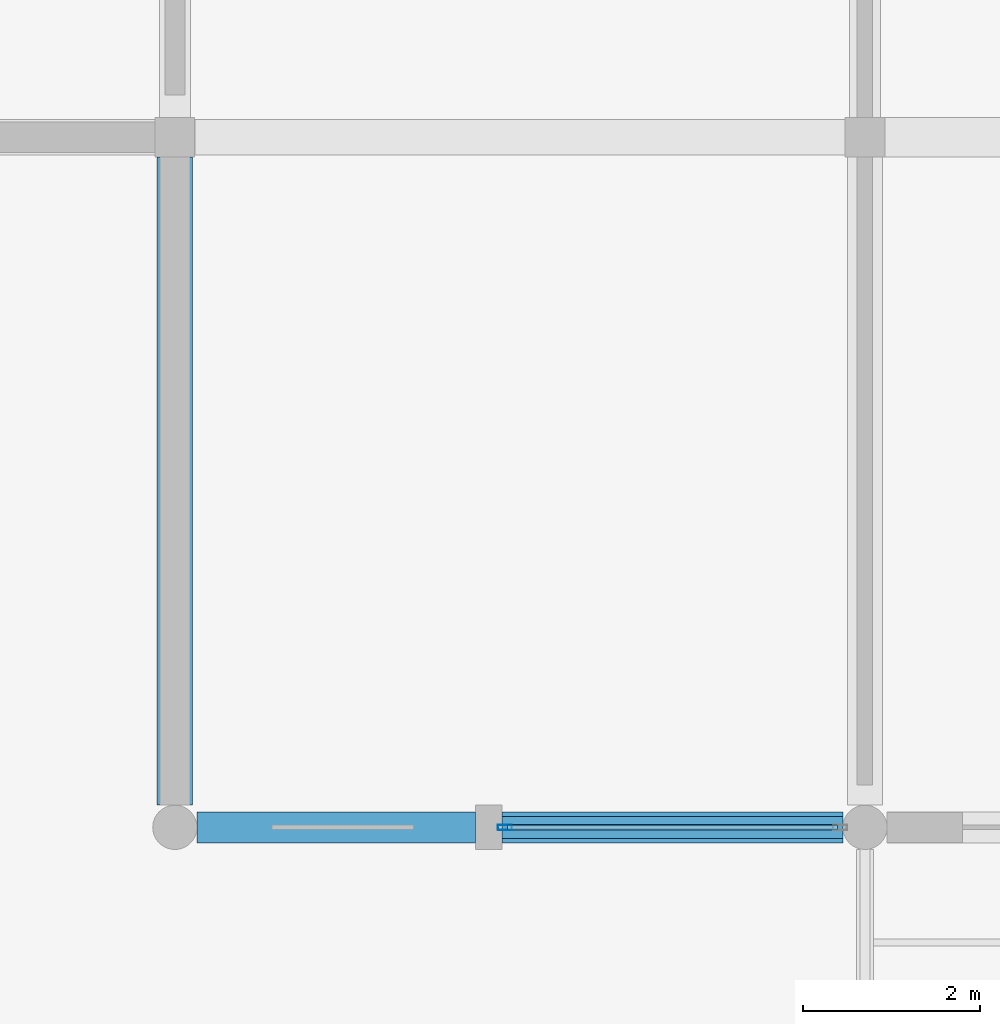
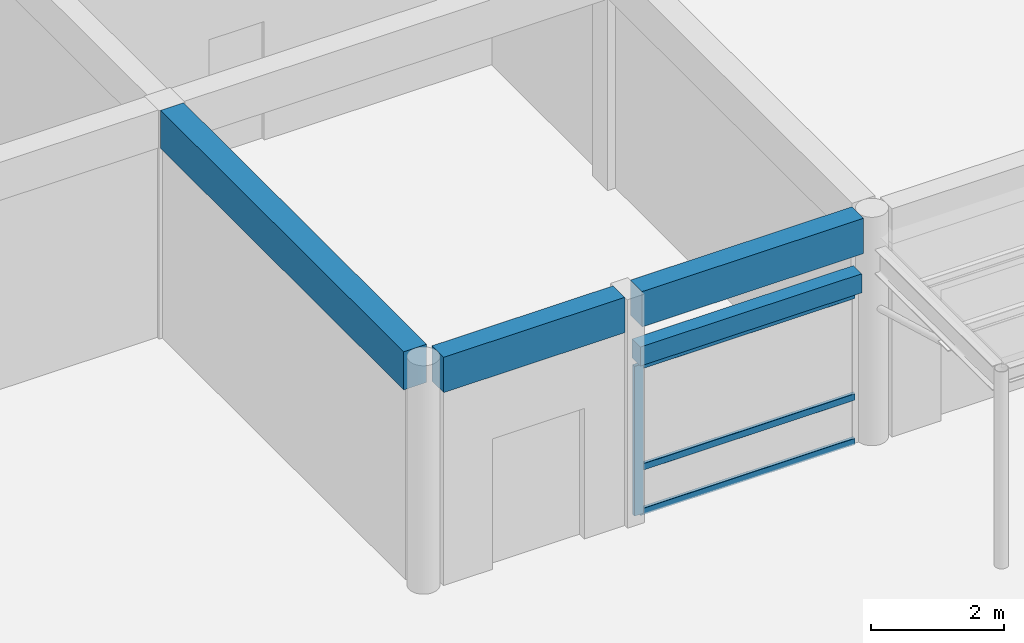
# One storey, part 11 of 75: 4 beams, 4 members, 1 element without a shape of its own.
"""IFC4 building model written with IfcOpenShell, lengths in metres."""

from ifc_helpers import new_model, si_unit, direction, frame, origin, origin_2d, place, context, subcontext, project, spatial, rectangle, hollow_rectangle, extrude, material, material_profile, profile_set, type_object, element, aggregate, save


model = new_model("IFC4")

# Units and contexts
model_context = context("Model", 3, precision=1e-05, world=origin(), true_north=direction((0.0, 1.0)))
body_context = subcontext(model_context, "Body", "Model", "MODEL_VIEW")
ifc_project = project(units=[si_unit("LENGTHUNIT", "METRE"), si_unit("AREAUNIT", "SQUARE_METRE"), si_unit("VOLUMEUNIT", "CUBIC_METRE"), si_unit("PLANEANGLEUNIT", "RADIAN"), si_unit("MASSUNIT", "GRAM", prefix="KILO")], contexts=[model_context])

# Site, building, storey
site_placement = place(None, origin())
site = spatial("IfcSite", under=ifc_project, at=site_placement, CompositionType="ELEMENT")
building_placement = place(site_placement, origin())
building = spatial("IfcBuilding", under=site, at=building_placement, Name="Kernevlak Ridge Housing Community", CompositionType="ELEMENT")
storey_placement = place(building_placement, origin())
storey = spatial("IfcBuildingStorey", under=building, at=storey_placement, Name="L00", CompositionType="ELEMENT", Elevation=0.0)

# Beams
ifc_material_1 = material(Name="Concrete C35/45", Category="concrete")
ifc_material_profile_1 = material_profile(ifc_material_1, rectangle(XDim=0.39990234375, YDim=0.699951171875, at=origin_2d()), Name="RC 400x700")
ifc_profile_set_1 = profile_set([ifc_material_profile_1], Name="Concrete C35/45")
beam_type_1 = type_object("IfcBeamType", Name="B-01", PredefinedType="BEAM", material=ifc_profile_set_1)
beam_1_placement = place(storey_placement, frame((56.39990234375, 8.050048828125, 3.85009765625), z_axis=(0.0, 1.0, 0.0), x_axis=(-1.0, 0.0, 0.0)))
element("IfcBeam", 1, at=beam_1_placement, inside=storey, type_object=beam_type_1, Name="Beam B-01 L00 2299", PredefinedType="BEAM", context=body_context, shape_type="SweptSolid", body=[
    extrude(rectangle(XDim=0.39990234375, YDim=0.699951171875, at=origin_2d()), origin(), (0.0, 0.0, 1.0), 7.324951171875),
])
ifc_material_profile_2 = material_profile(ifc_material_1, rectangle(XDim=0.35009765625, YDim=0.64990234375, at=origin_2d()), Name="RC 350x650")
ifc_profile_set_2 = profile_set([ifc_material_profile_2], Name="Concrete C35/45")
beam_type_2 = type_object("IfcBeamType", Name="B-02", PredefinedType="BEAM", material=ifc_profile_set_2)
beam_2_placement = place(storey_placement, frame((56.64990234375, 7.800048828125, 3.875), z_axis=(1.0, 0.0, 0.0), x_axis=(0.0, 1.0, 0.0)))
element("IfcBeam", 2, at=beam_2_placement, inside=storey, type_object=beam_type_2, Name="Beam B-02 L00 2041", PredefinedType="BEAM", context=body_context, shape_type="SweptSolid", body=[
    extrude(rectangle(XDim=0.35009765625, YDim=0.64990234375, at=origin_2d()), origin(), (0.0, 0.0, 1.0), 3.150146484375),
])
beam_3_placement = place(storey_placement, frame((60.10009765625, 7.800048828125, 3.875), z_axis=(1.0, 0.0, 0.0), x_axis=(0.0, 1.0, 0.0)))
element("IfcBeam", 3, at=beam_3_placement, inside=storey, type_object=beam_type_2, Name="Beam B-02 L00 2042", PredefinedType="BEAM", context=body_context, shape_type="SweptSolid", body=[
    extrude(rectangle(XDim=0.35009765625, YDim=0.64990234375, at=origin_2d()), origin(), (0.0, 0.0, 1.0), 3.849853515625),
])
ifc_material_profile_3 = material_profile(ifc_material_1, rectangle(XDim=0.25, YDim=0.35009765625, at=origin_2d()), Name="RC 250x350")
ifc_profile_set_3 = profile_set([ifc_material_profile_3], Name="Concrete C35/45")
beam_type_3 = type_object("IfcBeamType", Name="LN-01", PredefinedType="LINTEL", material=ifc_profile_set_3)
beam_4_placement = place(storey_placement, frame((60.10009765625, 7.800048828125, 2.97509765625), z_axis=(1.0, 0.0, 0.0), x_axis=(0.0, 1.0, 0.0)))
element("IfcBeam", 4, at=beam_4_placement, inside=storey, type_object=beam_type_3, Name="Beam LN-01 L00 2459", PredefinedType="LINTEL", context=body_context, shape_type="SweptSolid", body=[
    extrude(rectangle(XDim=0.25, YDim=0.35009765625, at=origin_2d()), origin(), (0.0, 0.0, 1.0), 3.849853515625),
])

# Curtain wall, members
ifc_material_2 = material(Name="Aluminium EN AW-6060 anodised and laminated glass", Category="aluminium")
curtain_wall_type = type_object("IfcCurtainWallType", Name="CW-01", PredefinedType="NOTDEFINED", material=ifc_material_2)
curtain_wall_placement = place(storey_placement, origin())
curtain_wall = element("IfcCurtainWall", 5, at=curtain_wall_placement, inside=storey, type_object=curtain_wall_type, Name="Curtain wall CW-01 CW-L00-169", PredefinedType="NOTDEFINED")
ifc_material_3 = material(Name="Aluminium EN AW-6060 anodised", Category="aluminium")
ifc_material_profile_4 = material_profile(ifc_material_3, hollow_rectangle(XDim=0.06005859375, YDim=0.159912109375, WallThickness=0.00390625, InnerFilletRadius=0.001953125, OuterFilletRadius=0.00390625, at=origin_2d()), Name="ALU 60x160x4")
ifc_profile_set_4 = profile_set([ifc_material_profile_4], Name="Aluminium EN AW-6060 anodised")
member_type_1 = type_object("IfcMemberType", Name="MU-02", PredefinedType="MULLION", material=ifc_profile_set_4)
member_1_placement = place(storey_placement, frame((60.1298828125, 7.800048828125, 0.0), z_axis=(0.0, 0.0, 1.0), x_axis=(0.0, 1.0, 0.0)))
member_1 = element("IfcMember", 6, at=member_1_placement, type_object=member_type_1, Name="CW-01 mullion 1", PredefinedType="MULLION", context=body_context, shape_type="SweptSolid", body=[
    extrude(hollow_rectangle(XDim=0.06005859375, YDim=0.159912109375, WallThickness=0.00390625, InnerFilletRadius=0.001953125, OuterFilletRadius=0.00390625, at=origin_2d()), origin(), (0.0, 0.0, 1.0), 2.75),
])
ifc_material_profile_5 = material_profile(ifc_material_3, hollow_rectangle(XDim=0.06005859375, YDim=0.1201171875, WallThickness=0.00390625, InnerFilletRadius=0.001953125, OuterFilletRadius=0.00390625, at=origin_2d()), Name="ALU 60x120x4")
ifc_profile_set_5 = profile_set([ifc_material_profile_5], Name="Aluminium EN AW-6060 anodised")
member_type_2 = type_object("IfcMemberType", Name="TM-02", PredefinedType="USERDEFINED", material=ifc_profile_set_5)
member_2_placement = place(storey_placement, frame((60.159912109375, 7.800048828125, 0.030029296875), z_axis=(1.0, 0.0, 0.0), x_axis=(0.0, 1.0, 0.0)))
member_2 = element("IfcMember", 7, at=member_2_placement, type_object=member_type_2, Name="CW-01 transom 1.1", ObjectType="TRANSOM", PredefinedType="USERDEFINED", context=body_context, shape_type="SweptSolid", body=[
    extrude(hollow_rectangle(XDim=0.06005859375, YDim=0.1201171875, WallThickness=0.00390625, InnerFilletRadius=0.001953125, OuterFilletRadius=0.00390625, at=origin_2d()), origin(), (0.0, 0.0, 1.0), 3.72998046875),
])
member_3_placement = place(storey_placement, frame((60.159912109375, 7.800048828125, 0.85009765625), z_axis=(1.0, 0.0, 0.0), x_axis=(0.0, 1.0, 0.0)))
member_3 = element("IfcMember", 8, at=member_3_placement, type_object=member_type_2, Name="CW-01 transom 1.2", ObjectType="TRANSOM", PredefinedType="USERDEFINED", context=body_context, shape_type="SweptSolid", body=[
    extrude(hollow_rectangle(XDim=0.06005859375, YDim=0.1201171875, WallThickness=0.00390625, InnerFilletRadius=0.001953125, OuterFilletRadius=0.00390625, at=origin_2d()), origin(), (0.0, 0.0, 1.0), 3.72998046875),
])
member_4_placement = place(storey_placement, frame((60.159912109375, 7.800048828125, 2.719970703125), z_axis=(1.0, 0.0, 0.0), x_axis=(0.0, 1.0, 0.0)))
member_4 = element("IfcMember", 9, at=member_4_placement, type_object=member_type_2, Name="CW-01 transom 1.3", ObjectType="TRANSOM", PredefinedType="USERDEFINED", context=body_context, shape_type="SweptSolid", body=[
    extrude(hollow_rectangle(XDim=0.06005859375, YDim=0.1201171875, WallThickness=0.00390625, InnerFilletRadius=0.001953125, OuterFilletRadius=0.00390625, at=origin_2d()), origin(), (0.0, 0.0, 1.0), 3.72998046875),
])
aggregate(curtain_wall, [member_1, member_2, member_3, member_4])

save(model, "model.ifc")
